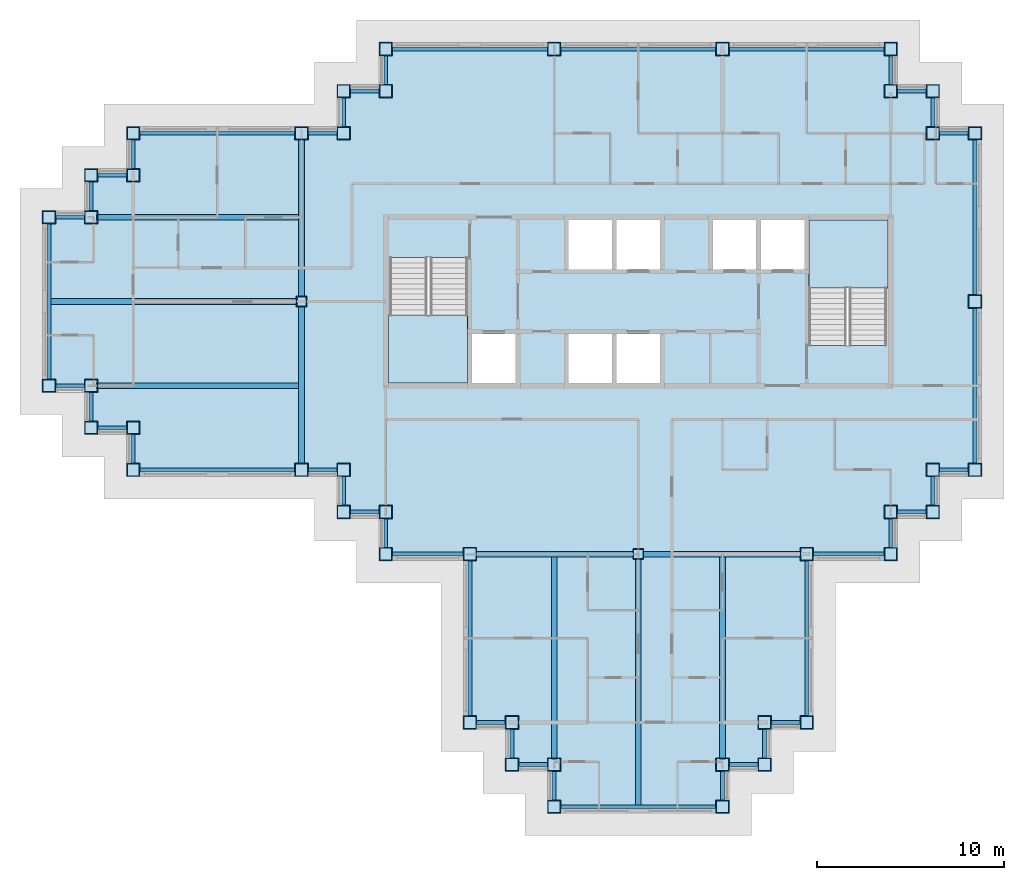
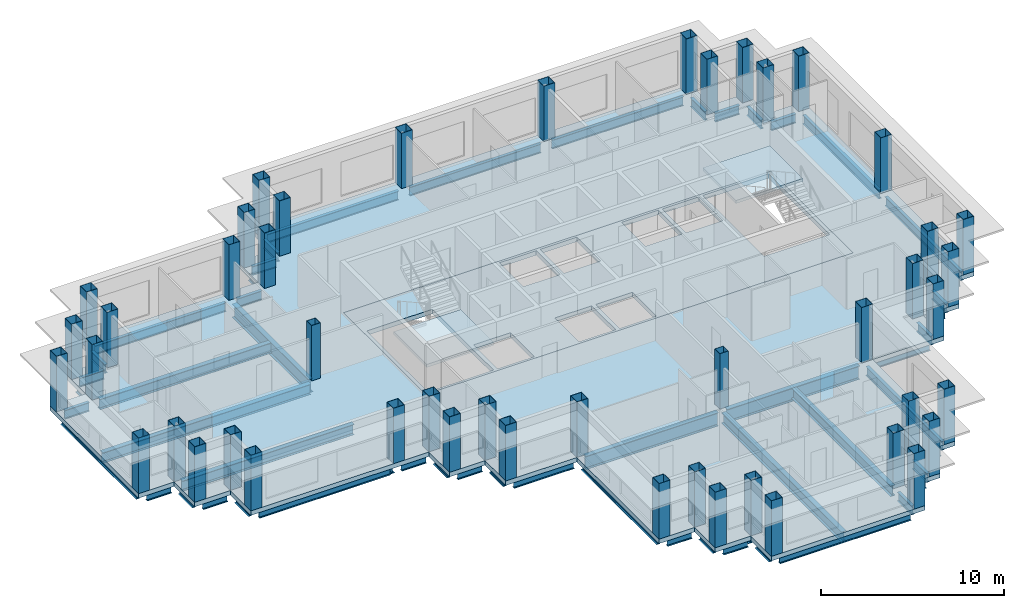
# One storey, part 1 of 12: 55 beams, 47 columns, 4 slabs, 2 elements without a shape of their own.
"""IFC4 building model written with IfcOpenShell, lengths in metres."""

import ifcopenshell
import ifcopenshell.guid

model = None  # the IFC model being written
_history = None  # IfcOwnerHistory: only IFC2X3 demands one
_inside = {}  # id of a spatial element -> (the spatial element, [elements in it])
_under = {}  # id of a project, library or spatial element -> (it, [spatial elements below it])
_declared = {}  # id of a project -> (the project, [libraries it declares])
_typed = {}  # id of a type object -> (the type object, [elements of that type])
_made_of = {}  # id of a material, layer set ... -> (it, [elements and type objects made of it])


def new_model(schema):
    """Start an empty IFC model of exactly this schema.

    Asked for "IFC4X3", IfcOpenShell would pick the latest addendum, in which some entities
    have other attributes; the version numbers below select the first issue.
    IFC2X3 requires an IfcOwnerHistory on every rooted entity: one is made here for all.
    """
    global model, _history
    if schema == "IFC4X3":
        model = ifcopenshell.file(schema_version=(4, 3, 0, 0))
    else:
        model = ifcopenshell.file(schema=schema)
    _inside.clear()
    _under.clear()
    _declared.clear()
    _typed.clear()
    _made_of.clear()
    _history = None
    if model.schema == "IFC2X3":
        org = make("IfcOrganization", Name="unknown")
        user = make(
            "IfcPersonAndOrganization",
            ThePerson=make("IfcPerson", FamilyName="unknown"),
            TheOrganization=org,
        )
        app = make(
            "IfcApplication",
            ApplicationDeveloper=org,
            Version="unknown",
            ApplicationFullName="unknown",
            ApplicationIdentifier="unknown",
        )
        _history = make(
            "IfcOwnerHistory",
            OwningUser=user,
            OwningApplication=app,
            ChangeAction="ADDED",
            CreationDate=0,
        )
    return model


def make(cls, **values):
    """One entity of the class cls with the attributes given. An attribute that is None is left unset."""
    return model.create_entity(
        cls, **{name: value for name, value in values.items() if value is not None}
    )


def rooted(cls, **values):
    """An entity with a GlobalId (a new one), such as an element, a storey or a relation."""
    return make(cls, GlobalId=ifcopenshell.guid.new(), OwnerHistory=_history, **values)


def si_unit(unit_type, name, prefix=None):
    """IfcSIUnit, for example si_unit("LENGTHUNIT", "METRE", prefix="MILLI")."""
    return make("IfcSIUnit", UnitType=unit_type, Prefix=prefix, Name=name)


def assignment(units):
    """IfcUnitAssignment: the units of a project."""
    return None if units is None else make("IfcUnitAssignment", Units=units)


def point(xyz):
    """IfcCartesianPoint."""
    return None if xyz is None else make("IfcCartesianPoint", Coordinates=xyz)


def direction(xyz):
    """IfcDirection."""
    return None if xyz is None else make("IfcDirection", DirectionRatios=xyz)


def frame(location, z_axis=None, x_axis=None):
    """IfcAxis2Placement3D, a coordinate frame: its origin and axes. An axis left out is left unset."""
    return make(
        "IfcAxis2Placement3D",
        Location=point(location),
        Axis=direction(z_axis),
        RefDirection=direction(x_axis),
    )


def frame_2d(location, x_axis=None):
    """IfcAxis2Placement2D, a coordinate frame in the plane: its origin and x axis."""
    return make(
        "IfcAxis2Placement2D", Location=point(location), RefDirection=direction(x_axis)
    )


def origin():
    """The frame at (0, 0, 0) with its axes left unset."""
    return frame((0.0, 0.0, 0.0))


def origin_2d():
    """The frame at (0, 0) in the plane with its x axis left unset."""
    return frame_2d((0.0, 0.0))


def place(relative_to, where):
    """IfcLocalPlacement: puts the frame where relative to a parent placement (None: the world)."""
    return make(
        "IfcLocalPlacement", PlacementRelTo=relative_to, RelativePlacement=where
    )


def context(
    kind, dimensions, precision=None, world=None, true_north=None, identifier=None
):
    """IfcGeometricRepresentationContext, for example the 3D "Model" context."""
    return make(
        "IfcGeometricRepresentationContext",
        ContextIdentifier=identifier,
        ContextType=kind,
        CoordinateSpaceDimension=dimensions,
        Precision=precision,
        WorldCoordinateSystem=world,
        TrueNorth=true_north,
    )


def subcontext(parent, identifier, kind, view, scale=None):
    """IfcGeometricRepresentationSubContext, for example "Body" below "Model"."""
    return make(
        "IfcGeometricRepresentationSubContext",
        ContextIdentifier=identifier,
        ContextType=kind,
        ParentContext=parent,
        TargetScale=scale,
        TargetView=view,
    )


def project(units=None, contexts=None):
    """IfcProject with its units and contexts."""
    return rooted(
        "IfcProject",
        Name="project",
        RepresentationContexts=contexts,
        UnitsInContext=assignment(units),
    )


def spatial(cls, under=None, at=None, **own):
    """A site, building, storey or space (cls), placed at a placement, below another one or the project."""
    s = rooted(cls, ObjectPlacement=at, **own)
    if under is not None:
        _under.setdefault(under.id(), (under, []))[1].append(s)
    return s


def polyline(points):
    """IfcPolyline through the points."""
    return make("IfcPolyline", Points=[point(p) for p in points])


def profile(cls, at=None, kind="AREA", **sizes):
    """A parametric profile (cls). Its sizes go by their IFC names, for example OverallWidth=200.0."""
    return make(cls, ProfileType=kind, Position=at, **sizes)


def hollow_rectangle(**sizes):
    """IfcRectangleHollowProfileDef."""
    return profile("IfcRectangleHollowProfileDef", **sizes)


def i_section(**sizes):
    """IfcIShapeProfileDef."""
    return profile("IfcIShapeProfileDef", **sizes)


def outline(outer, holes=None, kind="AREA"):
    """IfcArbitraryClosedProfileDef: a profile drawn as a closed curve; with holes, ...WithVoids."""
    if holes is None:
        return make("IfcArbitraryClosedProfileDef", ProfileType=kind, OuterCurve=outer)
    return make(
        "IfcArbitraryProfileDefWithVoids",
        ProfileType=kind,
        OuterCurve=outer,
        InnerCurves=holes,
    )


def extrude(swept, where, along, depth):
    """IfcExtrudedAreaSolid: the profile swept, set in the frame where, extruded along a direction by depth."""
    return make(
        "IfcExtrudedAreaSolid",
        SweptArea=swept,
        Position=where,
        ExtrudedDirection=direction(along),
        Depth=depth,
    )


def shape(context_of_items, identifier, shape_type, items):
    """IfcShapeRepresentation: the items that make up one representation, for example the "Body"."""
    return make(
        "IfcShapeRepresentation",
        ContextOfItems=context_of_items,
        RepresentationIdentifier=identifier,
        RepresentationType=shape_type,
        Items=items,
    )


def material(Name=None, Category=None):
    """IfcMaterial."""
    return make("IfcMaterial", Name=Name, Category=Category)


def layer(
    of_material, thickness, ventilated=None, Name=None, Category=None, Priority=None
):
    """IfcMaterialLayer: one layer of a wall or slab, of a material (None: an air gap)."""
    return make(
        "IfcMaterialLayer",
        Material=of_material,
        LayerThickness=thickness,
        IsVentilated=ventilated,
        Name=Name,
        Category=Category,
        Priority=Priority,
    )


def layer_set(layers, Name=None):
    """IfcMaterialLayerSet."""
    return make("IfcMaterialLayerSet", MaterialLayers=layers, LayerSetName=Name)


def material_profile(
    of_material, cross_section, Name=None, Category=None, Priority=None
):
    """IfcMaterialProfile: a cross section and its material."""
    return make(
        "IfcMaterialProfile",
        Name=Name,
        Material=of_material,
        Profile=cross_section,
        Priority=Priority,
        Category=Category,
    )


def profile_set(profiles, Name=None, composite=None):
    """IfcMaterialProfileSet."""
    return make(
        "IfcMaterialProfileSet",
        Name=Name,
        MaterialProfiles=profiles,
        CompositeProfile=composite,
    )


def made_of(thing, what):
    """Note that an element or type object is made of a material, layer set ...; save() writes the relation."""
    if what is not None:
        _made_of.setdefault(what.id(), (what, []))[1].append(thing)
    return thing


def type_object(cls, material=None, **own):
    """A type object (cls), such as IfcWallType, which elements share."""
    return made_of(rooted(cls, **own), material)


def element(
    cls,
    number,
    at=None,
    inside=None,
    cuts=None,
    type_object=None,
    material=None,
    context=None,
    identifier="Body",
    shape_type=None,
    held_by="IfcProductDefinitionShape",
    body=None,
    shapes=None,
    **own,
):
    """One element of the class cls, such as IfcWall. Its Tag is "e" and its number.

    at: its placement. inside: the storey or other place that contains it. cuts: it is an
    opening in that element (IfcRelVoidsElement). A single representation is given by context,
    identifier, shape_type and body (its items); several are given by shapes. held_by: the class
    of the entity that holds the representations. save() writes the other relations.
    """
    e = rooted(cls, Tag="e%d" % number, ObjectPlacement=at, **own)
    if body is not None:
        shapes = [shape(context, identifier, shape_type, body)]
    if shapes is not None:
        e.Representation = make(held_by, Representations=shapes)
    if inside is not None:
        _inside.setdefault(inside.id(), (inside, []))[1].append(e)
    if cuts is not None:
        rooted(
            "IfcRelVoidsElement", RelatingBuildingElement=cuts, RelatedOpeningElement=e
        )
    if type_object is not None:
        _typed.setdefault(type_object.id(), (type_object, []))[1].append(e)
    return made_of(e, material)


def aggregate(whole, parts):
    """IfcRelAggregates: a whole, such as a stair, and the parts it consists of."""
    return rooted("IfcRelAggregates", RelatingObject=whole, RelatedObjects=parts)


def save(model, path):
    """Write the relations noted so far, then the file.

    IfcRelAggregates (storeys below a building ...), IfcRelContainedInSpatialStructure (elements
    in a storey), IfcRelDefinesByType, IfcRelAssociatesMaterial and IfcRelDeclares: one each for
    every whole, place, type object, material and project.
    """
    for whole, parts in _under.values():
        aggregate(whole, parts)
    for where, things in _inside.values():
        rooted(
            "IfcRelContainedInSpatialStructure",
            RelatedElements=things,
            RelatingStructure=where,
        )
    for kind, things in _typed.values():
        rooted("IfcRelDefinesByType", RelatedObjects=things, RelatingType=kind)
    for what, things in _made_of.values():
        rooted("IfcRelAssociatesMaterial", RelatedObjects=things, RelatingMaterial=what)
    for by, libraries in _declared.values():
        rooted("IfcRelDeclares", RelatingContext=by, RelatedDefinitions=libraries)
    model.write(path)


model = new_model("IFC4")

# Units and contexts
model_context = context("Model", 3, precision=1e-05, world=origin(), true_north=direction((0.0, 1.0)))
body_context = subcontext(model_context, "Body", "Model", "MODEL_VIEW")
ifc_project = project(units=[si_unit("LENGTHUNIT", "METRE"), si_unit("AREAUNIT", "SQUARE_METRE"), si_unit("VOLUMEUNIT", "CUBIC_METRE"), si_unit("PLANEANGLEUNIT", "RADIAN"), si_unit("MASSUNIT", "GRAM", prefix="KILO")], contexts=[model_context])

# Site, building, storey
site_placement = place(None, origin())
site = spatial("IfcSite", under=ifc_project, at=site_placement, CompositionType="ELEMENT")
building_placement = place(site_placement, origin())
building = spatial("IfcBuilding", under=site, at=building_placement, Name="Caravel Reach Hotel and Residences", CompositionType="ELEMENT")
storey_placement = place(building_placement, frame((0.0, 0.0, 199.800048828125)))
storey = spatial("IfcBuildingStorey", under=building, at=storey_placement, Name="L50", CompositionType="ELEMENT", Elevation=199.800048828125)

# Columns
ifc_material_1 = material(Name="Concrete-filled steel tube Q390B with Concrete C60 infill", Category="concrete")
ifc_material_profile_1 = material_profile(ifc_material_1, hollow_rectangle(XDim=0.550048828125, YDim=0.550048828125, WallThickness=0.01806640625, at=origin_2d()), Name="RHS 550x550x18")
ifc_profile_set_1 = profile_set([ifc_material_profile_1], Name="Concrete-filled steel tube Q390B with Concrete C60 infill")
column_type_1 = type_object("IfcColumnType", Name="CFT 550x550 Q390B C60", PredefinedType="COLUMN", material=ifc_profile_set_1)
for number, where, z_axis, x_axis, name in (
    (1, (31.5, 13.5, 0.0), (0.0, 0.0, 1.0), (1.0, 0.0, 0.0), "C18 column"),
    (2, (13.5, 27.0, 0.0), (0.0, 0.0, 1.0), (1.0, 0.0, 0.0), "C18 column"),
):
    element("IfcColumn", number, at=place(storey_placement, frame(where, z_axis=z_axis, x_axis=x_axis)), inside=storey, type_object=column_type_1, Name=name, PredefinedType="COLUMN", context=body_context, shape_type="SweptSolid", body=[
        extrude(hollow_rectangle(XDim=0.550048828125, YDim=0.550048828125, WallThickness=0.01806640625, at=origin_2d()), origin(), (0.0, 0.0, 1.0), 3.699951171875),
    ])
ifc_material_2 = material(Name="Concrete-filled steel tube Q390B with Concrete C60 infill", Category="concrete")
ifc_material_profile_2 = material_profile(ifc_material_2, hollow_rectangle(XDim=0.699951171875, YDim=0.699951171875, WallThickness=0.02197265625, at=origin_2d()), Name="RHS 700x700x22")
ifc_profile_set_2 = profile_set([ifc_material_profile_2], Name="Concrete-filled steel tube Q390B with Concrete C60 infill")
column_type_2 = type_object("IfcColumnType", Name="CFT 700x700 Q390B C60", PredefinedType="COLUMN", material=ifc_profile_set_2)
for number, where, z_axis, x_axis, name in (
    (3, (40.5, 13.5, 0.0), (0.0, 0.0, 1.0), (1.0, 0.0, 0.0), "C7 column"),
    (4, (45.0, 13.5, 0.0), (0.0, 0.0, 1.0), (1.0, 0.0, 0.0), "C7 column"),
    (5, (45.0, 15.75, 0.0), (0.0, 0.0, 1.0), (1.0, 0.0, 0.0), "C7 column"),
    (6, (47.25, 15.75, 0.0), (0.0, 0.0, 1.0), (1.0, 0.0, 0.0), "C7 column"),
    (7, (47.25, 18.0, 0.0), (0.0, 0.0, 1.0), (1.0, 0.0, 0.0), "C7 column"),
    (8, (49.5, 18.0, 0.0), (0.0, 0.0, 1.0), (1.0, 0.0, 0.0), "C7 column"),
    (9, (49.5, 27.0, 0.0), (0.0, 0.0, 1.0), (1.0, 0.0, 0.0), "C7 column"),
    (10, (49.5, 36.0, 0.0), (0.0, 0.0, 1.0), (1.0, 0.0, 0.0), "C7 column"),
    (11, (47.25, 36.0, 0.0), (0.0, 0.0, 1.0), (1.0, 0.0, 0.0), "C7 column"),
    (12, (47.25, 38.25, 0.0), (0.0, 0.0, 1.0), (1.0, 0.0, 0.0), "C7 column"),
    (13, (45.0, 38.25, 0.0), (0.0, 0.0, 1.0), (1.0, 0.0, 0.0), "C7 column"),
    (14, (45.0, 40.5, 0.0), (0.0, 0.0, 1.0), (1.0, 0.0, 0.0), "C7 column"),
    (15, (36.0, 40.5, 0.0), (0.0, 0.0, 1.0), (1.0, 0.0, 0.0), "C7 column"),
    (16, (27.0, 40.5, 0.0), (0.0, 0.0, 1.0), (1.0, 0.0, 0.0), "C7 column"),
    (17, (18.0, 40.5, 0.0), (0.0, 0.0, 1.0), (1.0, 0.0, 0.0), "C7 column"),
    (18, (18.0, 38.25, 0.0), (0.0, 0.0, 1.0), (1.0, 0.0, 0.0), "C7 column"),
    (19, (15.75, 38.25, 0.0), (0.0, 0.0, 1.0), (1.0, 0.0, 0.0), "C7 column"),
    (20, (15.75, 36.0, 0.0), (0.0, 0.0, 1.0), (1.0, 0.0, 0.0), "C7 column"),
    (21, (13.5, 36.0, 0.0), (0.0, 0.0, 1.0), (1.0, 0.0, 0.0), "C7 column"),
    (22, (4.5, 36.0, 0.0), (0.0, 0.0, 1.0), (1.0, 0.0, 0.0), "C7 column"),
    (23, (4.5, 33.75, 0.0), (0.0, 0.0, 1.0), (1.0, 0.0, 0.0), "C7 column"),
    (24, (2.25, 33.75, 0.0), (0.0, 0.0, 1.0), (1.0, 0.0, 0.0), "C7 column"),
    (25, (2.25, 31.5, 0.0), (0.0, 0.0, 1.0), (1.0, 0.0, 0.0), "C7 column"),
    (26, (0.0, 31.5, 0.0), (0.0, 0.0, 1.0), (1.0, 0.0, 0.0), "C7 column"),
    (27, (0.0, 22.5, 0.0), (0.0, 0.0, 1.0), (1.0, 0.0, 0.0), "C7 column"),
    (28, (2.25, 22.5, 0.0), (0.0, 0.0, 1.0), (1.0, 0.0, 0.0), "C7 column"),
    (29, (2.25, 20.25, 0.0), (0.0, 0.0, 1.0), (1.0, 0.0, 0.0), "C7 column"),
    (30, (4.5, 20.25, 0.0), (0.0, 0.0, 1.0), (1.0, 0.0, 0.0), "C7 column"),
    (31, (4.5, 18.0, 0.0), (0.0, 0.0, 1.0), (1.0, 0.0, 0.0), "C7 column"),
    (32, (13.5, 18.0, 0.0), (0.0, 0.0, 1.0), (1.0, 0.0, 0.0), "C7 column"),
    (33, (15.75, 18.0, 0.0), (0.0, 0.0, 1.0), (1.0, 0.0, 0.0), "C7 column"),
    (34, (15.75, 15.75, 0.0), (0.0, 0.0, 1.0), (1.0, 0.0, 0.0), "C7 column"),
    (35, (18.0, 15.75, 0.0), (0.0, 0.0, 1.0), (1.0, 0.0, 0.0), "C7 column"),
    (36, (18.0, 13.5, 0.0), (0.0, 0.0, 1.0), (1.0, 0.0, 0.0), "C7 column"),
    (37, (22.5, 13.5, 0.0), (0.0, 0.0, 1.0), (1.0, 0.0, 0.0), "C7 column"),
    (38, (22.5, 4.5, 0.0), (0.0, 0.0, 1.0), (1.0, 0.0, 0.0), "C7 column"),
    (39, (24.75, 4.5, 0.0), (0.0, 0.0, 1.0), (1.0, 0.0, 0.0), "C7 column"),
    (40, (24.75, 2.25, 0.0), (0.0, 0.0, 1.0), (1.0, 0.0, 0.0), "C7 column"),
    (41, (27.0, 2.25, 0.0), (0.0, 0.0, 1.0), (1.0, 0.0, 0.0), "C7 column"),
    (42, (27.0, 0.0, 0.0), (0.0, 0.0, 1.0), (1.0, 0.0, 0.0), "C7 column"),
    (43, (36.0, 0.0, 0.0), (0.0, 0.0, 1.0), (1.0, 0.0, 0.0), "C7 column"),
    (44, (36.0, 2.25, 0.0), (0.0, 0.0, 1.0), (1.0, 0.0, 0.0), "C7 column"),
    (45, (38.25, 2.25, 0.0), (0.0, 0.0, 1.0), (1.0, 0.0, 0.0), "C7 column"),
    (46, (38.25, 4.5, 0.0), (0.0, 0.0, 1.0), (1.0, 0.0, 0.0), "C7 column"),
    (47, (40.5, 4.5, 0.0), (0.0, 0.0, 1.0), (1.0, 0.0, 0.0), "C7 column"),
):
    element("IfcColumn", number, at=place(storey_placement, frame(where, z_axis=z_axis, x_axis=x_axis)), inside=storey, type_object=column_type_2, Name=name, PredefinedType="COLUMN", context=body_context, shape_type="SweptSolid", body=[
        extrude(hollow_rectangle(XDim=0.699951171875, YDim=0.699951171875, WallThickness=0.02197265625, at=origin_2d()), origin(), (0.0, 0.0, 1.0), 3.699951171875),
    ])

# Beams
ifc_material_3 = material(Name="Structural steel Q355B", Category="steel")
ifc_material_profile_3 = material_profile(ifc_material_3, i_section(OverallWidth=0.300048828125, OverallDepth=0.699951171875, WebThickness=0.012939453125, FlangeThickness=0.02392578125, FilletRadius=0.01806640625, at=origin_2d()), Name="HN 700x300x13x24")
ifc_profile_set_3 = profile_set([ifc_material_profile_3], Name="Structural steel Q355B")
beam_type_1 = type_object("IfcBeamType", Name="Beam HN 700x300x13x24", PredefinedType="BEAM", material=ifc_profile_set_3)
beam_1_placement = place(storey_placement, frame((27.0, 13.39990234375, -0.650146484375), z_axis=(0.0, -1.0, 0.0), x_axis=(1.0, 0.0, 0.0)))
element("IfcBeam", 48, at=beam_1_placement, inside=storey, type_object=beam_type_1, Name="B2 HN 700x300x13x24", PredefinedType="BEAM", context=body_context, shape_type="SweptSolid", body=[
    extrude(i_section(OverallWidth=0.300048828125, OverallDepth=0.699951171875, WebThickness=0.012939453125, FlangeThickness=0.02392578125, FilletRadius=0.01806640625, at=origin_2d()), origin(), (0.0, 0.0, 1.0), 10.849853515625),
])
beam_2_placement = place(storey_placement, frame((31.5, 13.27490234375, -0.650146484375), z_axis=(0.0, -1.0, 0.0), x_axis=(1.0, 0.0, 0.0)))
element("IfcBeam", 49, at=beam_2_placement, inside=storey, type_object=beam_type_1, Name="B2 HN 700x300x13x24", PredefinedType="BEAM", context=body_context, shape_type="SweptSolid", body=[
    extrude(i_section(OverallWidth=0.300048828125, OverallDepth=0.699951171875, WebThickness=0.012939453125, FlangeThickness=0.02392578125, FilletRadius=0.01806640625, at=origin_2d()), origin(), (0.0, 0.0, 1.0), 13.1748046875),
])
for number, where, z_axis, x_axis, name in (
    (50, (36.0, 13.39990234375, -0.650146484375), (0.0, -1.0, 0.0), (1.0, 0.0, 0.0), "B2 HN 700x300x13x24"),
    (51, (13.39990234375, 22.5, -0.650146484375), (-1.0, 0.0, 0.0), (0.0, -1.0, 0.0), "B2 HN 700x300x13x24"),
):
    element("IfcBeam", number, at=place(storey_placement, frame(where, z_axis=z_axis, x_axis=x_axis)), inside=storey, type_object=beam_type_1, Name=name, PredefinedType="BEAM", context=body_context, shape_type="SweptSolid", body=[
        extrude(i_section(OverallWidth=0.300048828125, OverallDepth=0.699951171875, WebThickness=0.012939453125, FlangeThickness=0.02392578125, FilletRadius=0.01806640625, at=origin_2d()), origin(), (0.0, 0.0, 1.0), 10.849853515625),
    ])
beam_3_placement = place(storey_placement, frame((13.27490234375, 27.0, -0.650146484375), z_axis=(-1.0, 0.0, 0.0), x_axis=(0.0, -1.0, 0.0)))
element("IfcBeam", 52, at=beam_3_placement, inside=storey, type_object=beam_type_1, Name="B2 HN 700x300x13x24", PredefinedType="BEAM", context=body_context, shape_type="SweptSolid", body=[
    extrude(i_section(OverallWidth=0.300048828125, OverallDepth=0.699951171875, WebThickness=0.012939453125, FlangeThickness=0.02392578125, FilletRadius=0.01806640625, at=origin_2d()), origin(), (0.0, 0.0, 1.0), 13.1748046875),
])
beam_4_placement = place(storey_placement, frame((13.39990234375, 31.5, -0.650146484375), z_axis=(-1.0, 0.0, 0.0), x_axis=(0.0, -1.0, 0.0)))
element("IfcBeam", 53, at=beam_4_placement, inside=storey, type_object=beam_type_1, Name="B2 HN 700x300x13x24", PredefinedType="BEAM", context=body_context, shape_type="SweptSolid", body=[
    extrude(i_section(OverallWidth=0.300048828125, OverallDepth=0.699951171875, WebThickness=0.012939453125, FlangeThickness=0.02392578125, FilletRadius=0.01806640625, at=origin_2d()), origin(), (0.0, 0.0, 1.0), 10.849853515625),
])
ifc_material_4 = material(Name="Structural steel Q355B", Category="steel")
ifc_material_profile_4 = material_profile(ifc_material_4, i_section(OverallWidth=0.300048828125, OverallDepth=0.89990234375, WebThickness=0.01611328125, FlangeThickness=0.028076171875, FilletRadius=0.01806640625, at=origin_2d()), Name="HN 900x300x16x28")
ifc_profile_set_4 = profile_set([ifc_material_profile_4], Name="Structural steel Q355B")
beam_type_2 = type_object("IfcBeamType", Name="Beam HN 900x300x16x28", PredefinedType="BEAM", material=ifc_profile_set_4)
for number, where, z_axis, x_axis, name in (
    (54, (22.85009765625, 13.5, -0.75), (1.0, 0.0, 0.0), (0.0, 1.0, 0.0), "B3 HN 900x300x16x28"),
    (55, (31.77490234375, 13.5, -0.75), (1.0, 0.0, 0.0), (0.0, 1.0, 0.0), "B3 HN 900x300x16x28"),
    (56, (13.5, 18.35009765625, -0.75), (0.0, 1.0, 0.0), (-1.0, 0.0, 0.0), "B3 HN 900x300x16x28"),
    (57, (13.5, 27.27490234375, -0.75), (0.0, 1.0, 0.0), (-1.0, 0.0, 0.0), "B3 HN 900x300x16x28"),
):
    element("IfcBeam", number, at=place(storey_placement, frame(where, z_axis=z_axis, x_axis=x_axis)), inside=storey, type_object=beam_type_2, Name=name, PredefinedType="BEAM", context=body_context, shape_type="SweptSolid", body=[
        extrude(i_section(OverallWidth=0.300048828125, OverallDepth=0.89990234375, WebThickness=0.01611328125, FlangeThickness=0.028076171875, FilletRadius=0.01806640625, at=origin_2d()), origin(), (0.0, 0.0, 1.0), 8.375),
    ])
ifc_material_5 = material(Name="Structural steel Q355B", Category="steel")
ifc_material_profile_5 = material_profile(ifc_material_5, i_section(OverallWidth=0.199951171875, OverallDepth=0.60009765625, WebThickness=0.010986328125, FlangeThickness=0.01708984375, FilletRadius=0.012939453125, at=origin_2d()), Name="HN 600x200x11x17")
ifc_profile_set_5 = profile_set([ifc_material_profile_5], Name="Structural steel Q355B")
beam_type_3 = type_object("IfcBeamType", Name="Spandrel beam HN 600x200x11x17", PredefinedType="SPANDREL", material=ifc_profile_set_5)
beam_5_placement = place(storey_placement, frame((40.85009765625, 13.5, -0.60009765625), z_axis=(1.0, 0.0, 0.0), x_axis=(0.0, 1.0, 0.0)))
element("IfcBeam", 58, at=beam_5_placement, inside=storey, type_object=beam_type_3, Name="SP1 HN 600x200x11x17", PredefinedType="SPANDREL", context=body_context, shape_type="SweptSolid", body=[
    extrude(i_section(OverallWidth=0.199951171875, OverallDepth=0.60009765625, WebThickness=0.010986328125, FlangeThickness=0.01708984375, FilletRadius=0.012939453125, at=origin_2d()), origin(), (0.0, 0.0, 1.0), 3.7998046875),
])
for number, where, z_axis, x_axis, name in (
    (59, (45.0, 13.85009765625, -0.60009765625), (0.0, 1.0, 0.0), (-1.0, 0.0, 0.0), "SP1 HN 600x200x11x17"),
    (60, (45.35009765625, 15.75, -0.60009765625), (1.0, 0.0, 0.0), (0.0, 1.0, 0.0), "SP1 HN 600x200x11x17"),
    (61, (47.25, 16.10009765625, -0.60009765625), (0.0, 1.0, 0.0), (-1.0, 0.0, 0.0), "SP1 HN 600x200x11x17"),
    (62, (47.60009765625, 18.0, -0.60009765625), (1.0, 0.0, 0.0), (0.0, 1.0, 0.0), "SP1 HN 600x200x11x17"),
):
    element("IfcBeam", number, at=place(storey_placement, frame(where, z_axis=z_axis, x_axis=x_axis)), inside=storey, type_object=beam_type_3, Name=name, PredefinedType="SPANDREL", context=body_context, shape_type="SweptSolid", body=[
        extrude(i_section(OverallWidth=0.199951171875, OverallDepth=0.60009765625, WebThickness=0.010986328125, FlangeThickness=0.01708984375, FilletRadius=0.012939453125, at=origin_2d()), origin(), (0.0, 0.0, 1.0), 1.5498046875),
    ])
for number, where, z_axis, x_axis, name in (
    (63, (49.5, 18.35009765625, -0.60009765625), (0.0, 1.0, 0.0), (-1.0, 0.0, 0.0), "SP1 HN 600x200x11x17"),
    (64, (49.5, 27.35009765625, -0.60009765625), (0.0, 1.0, 0.0), (-1.0, 0.0, 0.0), "SP1 HN 600x200x11x17"),
):
    element("IfcBeam", number, at=place(storey_placement, frame(where, z_axis=z_axis, x_axis=x_axis)), inside=storey, type_object=beam_type_3, Name=name, PredefinedType="SPANDREL", context=body_context, shape_type="SweptSolid", body=[
        extrude(i_section(OverallWidth=0.199951171875, OverallDepth=0.60009765625, WebThickness=0.010986328125, FlangeThickness=0.01708984375, FilletRadius=0.012939453125, at=origin_2d()), origin(), (0.0, 0.0, 1.0), 8.2998046875),
    ])
for number, where, z_axis, x_axis, name in (
    (65, (49.14990234375, 36.0, -0.60009765625), (-1.0, 0.0, 0.0), (0.0, -1.0, 0.0), "SP1 HN 600x200x11x17"),
    (66, (47.25, 36.35009765625, -0.60009765625), (0.0, 1.0, 0.0), (-1.0, 0.0, 0.0), "SP1 HN 600x200x11x17"),
    (67, (46.89990234375, 38.25, -0.60009765625), (-1.0, 0.0, 0.0), (0.0, -1.0, 0.0), "SP1 HN 600x200x11x17"),
    (68, (45.0, 38.60009765625, -0.60009765625), (0.0, 1.0, 0.0), (-1.0, 0.0, 0.0), "SP1 HN 600x200x11x17"),
):
    element("IfcBeam", number, at=place(storey_placement, frame(where, z_axis=z_axis, x_axis=x_axis)), inside=storey, type_object=beam_type_3, Name=name, PredefinedType="SPANDREL", context=body_context, shape_type="SweptSolid", body=[
        extrude(i_section(OverallWidth=0.199951171875, OverallDepth=0.60009765625, WebThickness=0.010986328125, FlangeThickness=0.01708984375, FilletRadius=0.012939453125, at=origin_2d()), origin(), (0.0, 0.0, 1.0), 1.5498046875),
    ])
for number, where, z_axis, x_axis, name in (
    (69, (44.64990234375, 40.5, -0.60009765625), (-1.0, 0.0, 0.0), (0.0, -1.0, 0.0), "SP1 HN 600x200x11x17"),
    (70, (35.64990234375, 40.5, -0.60009765625), (-1.0, 0.0, 0.0), (0.0, -1.0, 0.0), "SP1 HN 600x200x11x17"),
    (71, (26.64990234375, 40.5, -0.60009765625), (-1.0, 0.0, 0.0), (0.0, -1.0, 0.0), "SP1 HN 600x200x11x17"),
):
    element("IfcBeam", number, at=place(storey_placement, frame(where, z_axis=z_axis, x_axis=x_axis)), inside=storey, type_object=beam_type_3, Name=name, PredefinedType="SPANDREL", context=body_context, shape_type="SweptSolid", body=[
        extrude(i_section(OverallWidth=0.199951171875, OverallDepth=0.60009765625, WebThickness=0.010986328125, FlangeThickness=0.01708984375, FilletRadius=0.012939453125, at=origin_2d()), origin(), (0.0, 0.0, 1.0), 8.2998046875),
    ])
for number, where, z_axis, x_axis, name in (
    (72, (18.0, 40.14990234375, -0.60009765625), (0.0, -1.0, 0.0), (1.0, 0.0, 0.0), "SP1 HN 600x200x11x17"),
    (73, (17.64990234375, 38.25, -0.60009765625), (-1.0, 0.0, 0.0), (0.0, -1.0, 0.0), "SP1 HN 600x200x11x17"),
    (74, (15.75, 37.89990234375, -0.60009765625), (0.0, -1.0, 0.0), (1.0, 0.0, 0.0), "SP1 HN 600x200x11x17"),
    (75, (15.39990234375, 36.0, -0.60009765625), (-1.0, 0.0, 0.0), (0.0, -1.0, 0.0), "SP1 HN 600x200x11x17"),
):
    element("IfcBeam", number, at=place(storey_placement, frame(where, z_axis=z_axis, x_axis=x_axis)), inside=storey, type_object=beam_type_3, Name=name, PredefinedType="SPANDREL", context=body_context, shape_type="SweptSolid", body=[
        extrude(i_section(OverallWidth=0.199951171875, OverallDepth=0.60009765625, WebThickness=0.010986328125, FlangeThickness=0.01708984375, FilletRadius=0.012939453125, at=origin_2d()), origin(), (0.0, 0.0, 1.0), 1.5498046875),
    ])
beam_6_placement = place(storey_placement, frame((13.14990234375, 36.0, -0.60009765625), z_axis=(-1.0, 0.0, 0.0), x_axis=(0.0, -1.0, 0.0)))
element("IfcBeam", 76, at=beam_6_placement, inside=storey, type_object=beam_type_3, Name="SP1 HN 600x200x11x17", PredefinedType="SPANDREL", context=body_context, shape_type="SweptSolid", body=[
    extrude(i_section(OverallWidth=0.199951171875, OverallDepth=0.60009765625, WebThickness=0.010986328125, FlangeThickness=0.01708984375, FilletRadius=0.012939453125, at=origin_2d()), origin(), (0.0, 0.0, 1.0), 8.2998046875),
])
for number, where, z_axis, x_axis, name in (
    (77, (4.5, 35.64990234375, -0.60009765625), (0.0, -1.0, 0.0), (1.0, 0.0, 0.0), "SP1 HN 600x200x11x17"),
    (78, (4.14990234375, 33.75, -0.60009765625), (-1.0, 0.0, 0.0), (0.0, -1.0, 0.0), "SP1 HN 600x200x11x17"),
    (79, (2.25, 33.39990234375, -0.60009765625), (0.0, -1.0, 0.0), (1.0, 0.0, 0.0), "SP1 HN 600x200x11x17"),
    (80, (1.89990234375, 31.5, -0.60009765625), (-1.0, 0.0, 0.0), (0.0, -1.0, 0.0), "SP1 HN 600x200x11x17"),
):
    element("IfcBeam", number, at=place(storey_placement, frame(where, z_axis=z_axis, x_axis=x_axis)), inside=storey, type_object=beam_type_3, Name=name, PredefinedType="SPANDREL", context=body_context, shape_type="SweptSolid", body=[
        extrude(i_section(OverallWidth=0.199951171875, OverallDepth=0.60009765625, WebThickness=0.010986328125, FlangeThickness=0.01708984375, FilletRadius=0.012939453125, at=origin_2d()), origin(), (0.0, 0.0, 1.0), 1.5498046875),
    ])
beam_7_placement = place(storey_placement, frame((0.0, 31.14990234375, -0.60009765625), z_axis=(0.0, -1.0, 0.0), x_axis=(1.0, 0.0, 0.0)))
element("IfcBeam", 81, at=beam_7_placement, inside=storey, type_object=beam_type_3, Name="SP1 HN 600x200x11x17", PredefinedType="SPANDREL", context=body_context, shape_type="SweptSolid", body=[
    extrude(i_section(OverallWidth=0.199951171875, OverallDepth=0.60009765625, WebThickness=0.010986328125, FlangeThickness=0.01708984375, FilletRadius=0.012939453125, at=origin_2d()), origin(), (0.0, 0.0, 1.0), 8.2998046875),
])
for number, where, z_axis, x_axis, name in (
    (82, (0.35009765625, 22.5, -0.60009765625), (1.0, 0.0, 0.0), (0.0, 1.0, 0.0), "SP1 HN 600x200x11x17"),
    (83, (2.25, 22.14990234375, -0.60009765625), (0.0, -1.0, 0.0), (1.0, 0.0, 0.0), "SP1 HN 600x200x11x17"),
    (84, (2.60009765625, 20.25, -0.60009765625), (1.0, 0.0, 0.0), (0.0, 1.0, 0.0), "SP1 HN 600x200x11x17"),
    (85, (4.5, 19.89990234375, -0.60009765625), (0.0, -1.0, 0.0), (1.0, 0.0, 0.0), "SP1 HN 600x200x11x17"),
):
    element("IfcBeam", number, at=place(storey_placement, frame(where, z_axis=z_axis, x_axis=x_axis)), inside=storey, type_object=beam_type_3, Name=name, PredefinedType="SPANDREL", context=body_context, shape_type="SweptSolid", body=[
        extrude(i_section(OverallWidth=0.199951171875, OverallDepth=0.60009765625, WebThickness=0.010986328125, FlangeThickness=0.01708984375, FilletRadius=0.012939453125, at=origin_2d()), origin(), (0.0, 0.0, 1.0), 1.5498046875),
    ])
beam_8_placement = place(storey_placement, frame((4.85009765625, 18.0, -0.60009765625), z_axis=(1.0, 0.0, 0.0), x_axis=(0.0, 1.0, 0.0)))
element("IfcBeam", 86, at=beam_8_placement, inside=storey, type_object=beam_type_3, Name="SP1 HN 600x200x11x17", PredefinedType="SPANDREL", context=body_context, shape_type="SweptSolid", body=[
    extrude(i_section(OverallWidth=0.199951171875, OverallDepth=0.60009765625, WebThickness=0.010986328125, FlangeThickness=0.01708984375, FilletRadius=0.012939453125, at=origin_2d()), origin(), (0.0, 0.0, 1.0), 8.2998046875),
])
for number, where, z_axis, x_axis, name in (
    (87, (13.85009765625, 18.0, -0.60009765625), (1.0, 0.0, 0.0), (0.0, 1.0, 0.0), "SP1 HN 600x200x11x17"),
    (88, (15.75, 17.64990234375, -0.60009765625), (0.0, -1.0, 0.0), (1.0, 0.0, 0.0), "SP1 HN 600x200x11x17"),
    (89, (16.10009765625, 15.75, -0.60009765625), (1.0, 0.0, 0.0), (0.0, 1.0, 0.0), "SP1 HN 600x200x11x17"),
    (90, (18.0, 15.39990234375, -0.60009765625), (0.0, -1.0, 0.0), (1.0, 0.0, 0.0), "SP1 HN 600x200x11x17"),
):
    element("IfcBeam", number, at=place(storey_placement, frame(where, z_axis=z_axis, x_axis=x_axis)), inside=storey, type_object=beam_type_3, Name=name, PredefinedType="SPANDREL", context=body_context, shape_type="SweptSolid", body=[
        extrude(i_section(OverallWidth=0.199951171875, OverallDepth=0.60009765625, WebThickness=0.010986328125, FlangeThickness=0.01708984375, FilletRadius=0.012939453125, at=origin_2d()), origin(), (0.0, 0.0, 1.0), 1.5498046875),
    ])
beam_9_placement = place(storey_placement, frame((18.35009765625, 13.5, -0.60009765625), z_axis=(1.0, 0.0, 0.0), x_axis=(0.0, 1.0, 0.0)))
element("IfcBeam", 91, at=beam_9_placement, inside=storey, type_object=beam_type_3, Name="SP1 HN 600x200x11x17", PredefinedType="SPANDREL", context=body_context, shape_type="SweptSolid", body=[
    extrude(i_section(OverallWidth=0.199951171875, OverallDepth=0.60009765625, WebThickness=0.010986328125, FlangeThickness=0.01708984375, FilletRadius=0.012939453125, at=origin_2d()), origin(), (0.0, 0.0, 1.0), 3.7998046875),
])
beam_10_placement = place(storey_placement, frame((22.5, 13.14990234375, -0.60009765625), z_axis=(0.0, -1.0, 0.0), x_axis=(1.0, 0.0, 0.0)))
element("IfcBeam", 92, at=beam_10_placement, inside=storey, type_object=beam_type_3, Name="SP1 HN 600x200x11x17", PredefinedType="SPANDREL", context=body_context, shape_type="SweptSolid", body=[
    extrude(i_section(OverallWidth=0.199951171875, OverallDepth=0.60009765625, WebThickness=0.010986328125, FlangeThickness=0.01708984375, FilletRadius=0.012939453125, at=origin_2d()), origin(), (0.0, 0.0, 1.0), 8.2998046875),
])
for number, where, z_axis, x_axis, name in (
    (93, (22.85009765625, 4.5, -0.60009765625), (1.0, 0.0, 0.0), (0.0, 1.0, 0.0), "SP1 HN 600x200x11x17"),
    (94, (24.75, 4.14990234375, -0.60009765625), (0.0, -1.0, 0.0), (1.0, 0.0, 0.0), "SP1 HN 600x200x11x17"),
    (95, (25.10009765625, 2.25, -0.60009765625), (1.0, 0.0, 0.0), (0.0, 1.0, 0.0), "SP1 HN 600x200x11x17"),
    (96, (27.0, 1.89990234375, -0.60009765625), (0.0, -1.0, 0.0), (1.0, 0.0, 0.0), "SP1 HN 600x200x11x17"),
):
    element("IfcBeam", number, at=place(storey_placement, frame(where, z_axis=z_axis, x_axis=x_axis)), inside=storey, type_object=beam_type_3, Name=name, PredefinedType="SPANDREL", context=body_context, shape_type="SweptSolid", body=[
        extrude(i_section(OverallWidth=0.199951171875, OverallDepth=0.60009765625, WebThickness=0.010986328125, FlangeThickness=0.01708984375, FilletRadius=0.012939453125, at=origin_2d()), origin(), (0.0, 0.0, 1.0), 1.5498046875),
    ])
beam_11_placement = place(storey_placement, frame((27.35009765625, 0.0, -0.60009765625), z_axis=(1.0, 0.0, 0.0), x_axis=(0.0, 1.0, 0.0)))
element("IfcBeam", 97, at=beam_11_placement, inside=storey, type_object=beam_type_3, Name="SP1 HN 600x200x11x17", PredefinedType="SPANDREL", context=body_context, shape_type="SweptSolid", body=[
    extrude(i_section(OverallWidth=0.199951171875, OverallDepth=0.60009765625, WebThickness=0.010986328125, FlangeThickness=0.01708984375, FilletRadius=0.012939453125, at=origin_2d()), origin(), (0.0, 0.0, 1.0), 8.2998046875),
])
for number, where, z_axis, x_axis, name in (
    (98, (36.0, 0.35009765625, -0.60009765625), (0.0, 1.0, 0.0), (-1.0, 0.0, 0.0), "SP1 HN 600x200x11x17"),
    (99, (36.35009765625, 2.25, -0.60009765625), (1.0, 0.0, 0.0), (0.0, 1.0, 0.0), "SP1 HN 600x200x11x17"),
    (100, (38.25, 2.60009765625, -0.60009765625), (0.0, 1.0, 0.0), (-1.0, 0.0, 0.0), "SP1 HN 600x200x11x17"),
    (101, (38.60009765625, 4.5, -0.60009765625), (1.0, 0.0, 0.0), (0.0, 1.0, 0.0), "SP1 HN 600x200x11x17"),
):
    element("IfcBeam", number, at=place(storey_placement, frame(where, z_axis=z_axis, x_axis=x_axis)), inside=storey, type_object=beam_type_3, Name=name, PredefinedType="SPANDREL", context=body_context, shape_type="SweptSolid", body=[
        extrude(i_section(OverallWidth=0.199951171875, OverallDepth=0.60009765625, WebThickness=0.010986328125, FlangeThickness=0.01708984375, FilletRadius=0.012939453125, at=origin_2d()), origin(), (0.0, 0.0, 1.0), 1.5498046875),
    ])
beam_12_placement = place(storey_placement, frame((40.5, 4.85009765625, -0.60009765625), z_axis=(0.0, 1.0, 0.0), x_axis=(-1.0, 0.0, 0.0)))
element("IfcBeam", 102, at=beam_12_placement, inside=storey, type_object=beam_type_3, Name="SP1 HN 600x200x11x17", PredefinedType="SPANDREL", context=body_context, shape_type="SweptSolid", body=[
    extrude(i_section(OverallWidth=0.199951171875, OverallDepth=0.60009765625, WebThickness=0.010986328125, FlangeThickness=0.01708984375, FilletRadius=0.012939453125, at=origin_2d()), origin(), (0.0, 0.0, 1.0), 8.2998046875),
])

# Slab
ifc_material_6 = material(Name="Concrete C40", Category="concrete")
ifc_layer_1 = layer(ifc_material_6, 0.300048828125)
ifc_layer_set_1 = layer_set([ifc_layer_1], Name="Core floor slab 300 mm")
slab_type_1 = type_object("IfcSlabType", Name="Core floor slab 300 mm", PredefinedType="FLOOR", material=ifc_layer_set_1)
slab_1_placement = place(storey_placement, frame((0.0, 0.0, -0.300048828125)))
element("IfcSlab", 103, at=slab_1_placement, inside=storey, type_object=slab_type_1, Name="L50 core floor", PredefinedType="FLOOR", context=body_context, shape_type="SweptSolid", body=[
    extrude(outline(polyline([(18.0, 31.5), (45.0, 31.5), (45.0, 22.5), (18.0, 22.5), (18.0, 31.5)]), holes=[polyline([(22.625, 25.27490234375), (22.625, 22.64990234375), (24.9462890625, 22.64990234375), (24.9462890625, 25.27490234375), (22.625, 25.27490234375)]), polyline([(27.767822265625, 25.27490234375), (27.767822265625, 22.64990234375), (30.08935546875, 22.64990234375), (30.08935546875, 25.27490234375), (27.767822265625, 25.27490234375)]), polyline([(30.33935546875, 25.27490234375), (30.33935546875, 22.64990234375), (32.66064453125, 22.64990234375), (32.66064453125, 25.27490234375), (30.33935546875, 25.27490234375)]), polyline([(22.375, 22.64990234375), (22.375, 29.35009765625), (18.22509765625, 29.35009765625), (18.22509765625, 22.64990234375), (22.375, 22.64990234375)]), polyline([(40.625, 31.35009765625), (40.625, 24.64990234375), (44.77490234375, 24.64990234375), (44.77490234375, 31.35009765625), (40.625, 31.35009765625)]), polyline([(27.767822265625, 31.35009765625), (27.767822265625, 28.72509765625), (30.08935546875, 28.72509765625), (30.08935546875, 31.35009765625), (27.767822265625, 31.35009765625)]), polyline([(30.33935546875, 31.35009765625), (30.33935546875, 28.72509765625), (32.66064453125, 28.72509765625), (32.66064453125, 31.35009765625), (30.33935546875, 31.35009765625)]), polyline([(37.8037109375, 31.35009765625), (35.482177734375, 31.35009765625), (35.482177734375, 28.72509765625), (37.8037109375, 28.72509765625), (37.8037109375, 31.35009765625)]), polyline([(40.375, 31.35009765625), (38.0537109375, 31.35009765625), (38.0537109375, 28.72509765625), (40.375, 28.72509765625), (40.375, 31.35009765625)])]), origin(), (0.0, 0.0, 1.0), 0.300048828125),
])

# Stair, slab
ifc_material_7 = material(Name="Concrete C40", Category="concrete")
stair_type = type_object("IfcStairType", Name="Core stair", PredefinedType="HALF_TURN_STAIR", material=ifc_material_7)
stair_1_placement = place(storey_placement, origin())
stair_1 = element("IfcStair", 104, at=stair_1_placement, inside=storey, type_object=stair_type, Name="L50 Exit stair A", PredefinedType="HALF_TURN_STAIR")
ifc_material_8 = material(Name="Concrete C40", Category="concrete")
ifc_layer_2 = layer(ifc_material_8, 0.199951171875)
ifc_layer_set_2 = layer_set([ifc_layer_2], Name="Core stair landing")
slab_type_2 = type_object("IfcSlabType", Name="Core stair landing", PredefinedType="LANDING", material=ifc_layer_set_2)
slab_2_placement = place(storey_placement, frame((0.0, 0.0, 1.64990234375)))
slab_2 = element("IfcSlab", 105, at=slab_2_placement, type_object=slab_type_2, Name="ST-A landing 1", PredefinedType="LANDING", context=body_context, shape_type="SweptSolid", body=[
    extrude(outline(polyline([(18.14990234375, 26.27001953125), (18.14990234375, 22.64990234375), (22.375, 22.64990234375), (22.375, 26.27001953125), (18.14990234375, 26.27001953125)])), origin(), (0.0, 0.0, 1.0), 0.199951171875),
])
aggregate(stair_1, [slab_2])

stair_2_placement = place(storey_placement, origin())
stair_2 = element("IfcStair", 106, at=stair_2_placement, inside=storey, type_object=stair_type, Name="L50 Exit stair B", PredefinedType="HALF_TURN_STAIR")
slab_3_placement = place(storey_placement, frame((0.0, 0.0, 1.64990234375)))
slab_3 = element("IfcSlab", 107, at=slab_3_placement, type_object=slab_type_2, Name="ST-B landing 1", PredefinedType="LANDING", context=body_context, shape_type="SweptSolid", body=[
    extrude(outline(polyline([(44.85009765625, 27.72998046875), (44.85009765625, 31.35009765625), (40.625, 31.35009765625), (40.625, 27.72998046875), (44.85009765625, 27.72998046875)])), origin(), (0.0, 0.0, 1.0), 0.199951171875),
])
aggregate(stair_2, [slab_3])

# Slab
ifc_material_9 = material(Name="Concrete C40 post-tensioned", Category="concrete")
ifc_layer_3 = layer(ifc_material_9, 0.300048828125)
ifc_layer_set_3 = layer_set([ifc_layer_3], Name="Floor slab 300")
slab_type_3 = type_object("IfcSlabType", Name="Floor slab 300", PredefinedType="FLOOR", material=ifc_layer_set_3)
slab_4_placement = place(storey_placement, frame((0.0, 0.0, -0.300048828125)))
element("IfcSlab", 108, at=slab_4_placement, inside=storey, type_object=slab_type_3, Name="S2 slab L50", PredefinedType="FLOOR", context=body_context, shape_type="SweptSolid", body=[
    extrude(outline(polyline([(38.60009765625, 4.14990234375), (38.60009765625, 1.89990234375), (36.35009765625, 1.89990234375), (36.35009765625, -0.35009765625), (26.64990234375, -0.35009765625), (26.64990234375, 1.89990234375), (24.39990234375, 1.89990234375), (24.39990234375, 4.14990234375), (22.14990234375, 4.14990234375), (22.14990234375, 13.14990234375), (17.64990234375, 13.14990234375), (17.64990234375, 15.39990234375), (15.39990234375, 15.39990234375), (15.39990234375, 17.64990234375), (4.14990234375, 17.64990234375), (4.14990234375, 19.89990234375), (1.89990234375, 19.89990234375), (1.89990234375, 22.14990234375), (-0.35009765625, 22.14990234375), (-0.35009765625, 31.85009765625), (1.89990234375, 31.85009765625), (1.89990234375, 34.10009765625), (4.14990234375, 34.10009765625), (4.14990234375, 36.35009765625), (15.39990234375, 36.35009765625), (15.39990234375, 38.60009765625), (17.64990234375, 38.60009765625), (17.64990234375, 40.85009765625), (45.35009765625, 40.85009765625), (45.35009765625, 38.60009765625), (47.60009765625, 38.60009765625), (47.60009765625, 36.35009765625), (49.85009765625, 36.35009765625), (49.85009765625, 17.64990234375), (47.60009765625, 17.64990234375), (47.60009765625, 15.39990234375), (45.35009765625, 15.39990234375), (45.35009765625, 13.14990234375), (40.85009765625, 13.14990234375), (40.85009765625, 4.14990234375), (38.60009765625, 4.14990234375)]), holes=[polyline([(45.0, 31.5), (18.0, 31.5), (18.0, 22.5), (45.0, 22.5), (45.0, 31.5)])]), origin(), (0.0, 0.0, 1.0), 0.300048828125),
])

save(model, "model.ifc")
